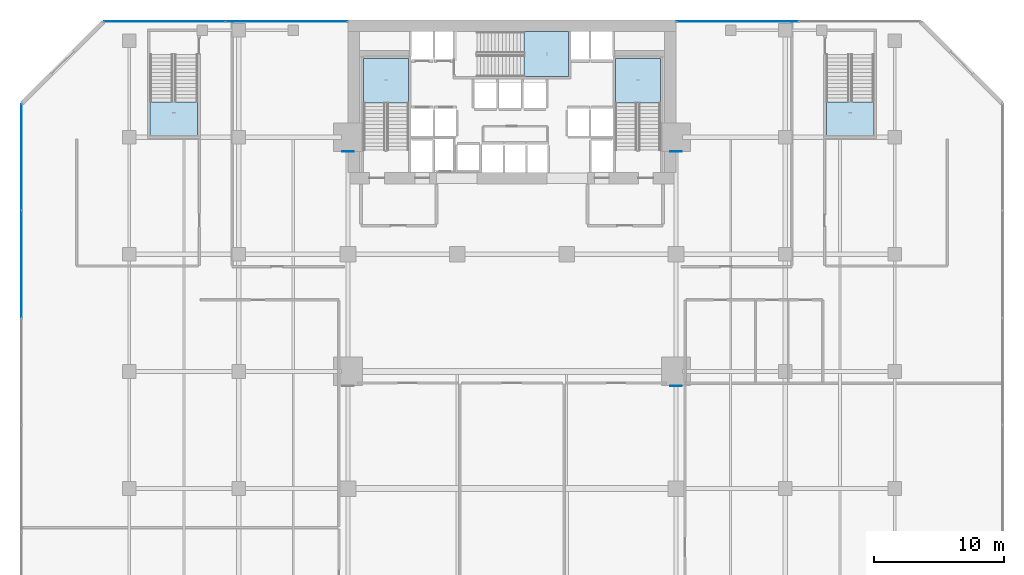
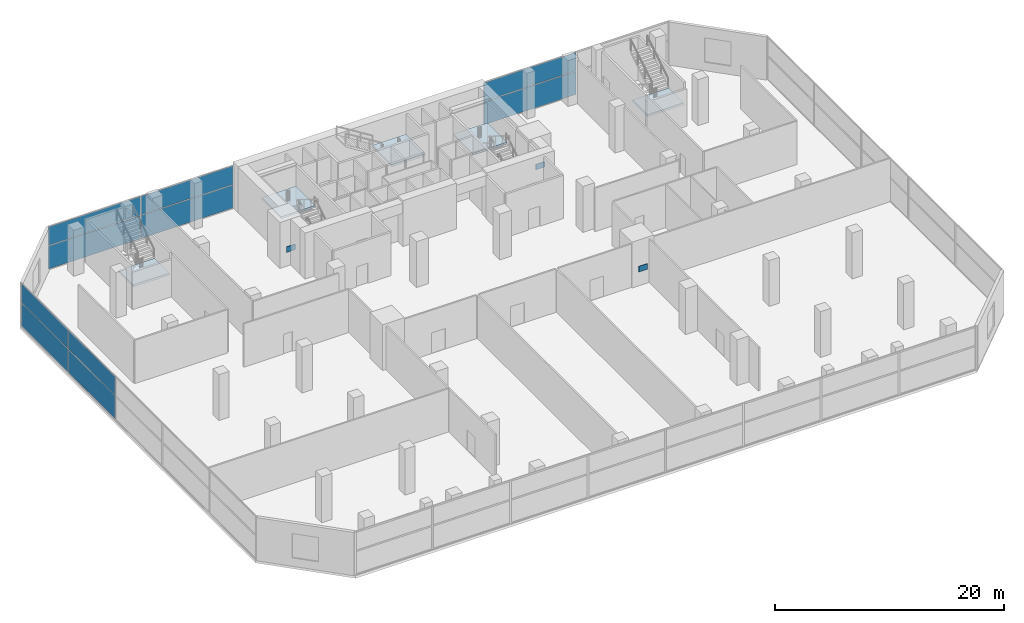
# One storey, part 33 of 39: 13 plates, 5 slabs, 8 elements without a shape of their own.
"""IFC4 building model written with IfcOpenShell, lengths in metres."""

from ifc_helpers import new_model, si_unit, direction, frame, origin, origin_2d, place, context, subcontext, project, spatial, polyline, rectangle, outline, extrude, material, layer, layer_set, type_object, element, aggregate, save


model = new_model("IFC4")

# Units and contexts
model_context = context("Model", 3, precision=1e-05, world=origin(), true_north=direction((0.0, 1.0)))
body_context = subcontext(model_context, "Body", "Model", "MODEL_VIEW")
ifc_project = project(units=[si_unit("LENGTHUNIT", "METRE"), si_unit("AREAUNIT", "SQUARE_METRE"), si_unit("VOLUMEUNIT", "CUBIC_METRE"), si_unit("PLANEANGLEUNIT", "RADIAN"), si_unit("MASSUNIT", "GRAM", prefix="KILO")], contexts=[model_context])

# Site, building, storey
site_placement = place(None, origin())
site = spatial("IfcSite", under=ifc_project, at=site_placement, CompositionType="ELEMENT")
building_placement = place(site_placement, origin())
building = spatial("IfcBuilding", under=site, at=building_placement, Name="Maruvema Waterfront Hotel and Observation Tower", CompositionType="ELEMENT")
storey_placement = place(building_placement, frame((0.0, 0.0, 16.449951171875)))
storey = spatial("IfcBuildingStorey", under=building, at=storey_placement, Name="L03", CompositionType="ELEMENT", Elevation=16.449951171875)

# Curtain wall, plates
ifc_material_1 = material(Name="Anodised bronze aluminium and solar-control low-E IGU", Category="aluminium")
ifc_layer_1 = layer(ifc_material_1, 0.159912109375, Name="Podium Waterfront Storefront Curtain Wall System CW-01")
ifc_layer_set_1 = layer_set([ifc_layer_1], Name="Anodised bronze aluminium and solar-control low-E IGU")
curtain_wall_type = type_object("IfcCurtainWallType", Name="Podium Waterfront Storefront Curtain Wall System CW-01", PredefinedType="USERDEFINED", material=ifc_layer_set_1)
curtain_wall_1_placement = place(storey_placement, origin())
curtain_wall_1 = element("IfcCurtainWall", 1, at=curtain_wall_1_placement, inside=storey, type_object=curtain_wall_type, Name="L03 Curtain Wall CW-L03-NE", ObjectType="UNITISED CURTAIN WALL", PredefinedType="USERDEFINED")
ifc_material_2 = material(Name="Laminated low-E solar-control double glazing", Category="glass")
ifc_layer_2 = layer(ifc_material_2, 0.035888671875, Name="Solar Control Double-Glazed Curtain Panel 36 mm")
ifc_layer_set_2 = layer_set([ifc_layer_2], Name="Laminated low-E solar-control double glazing")
plate_type_1 = type_object("IfcPlateType", Name="Solar Control Double-Glazed Curtain Panel 36 mm", PredefinedType="CURTAIN_PANEL", material=ifc_layer_set_2)
plate_1_placement = place(storey_placement, frame((55.114990234375, 53.8798828125, 0.06005859375), z_axis=(0.0, 0.0, 1.0), x_axis=(-1.0, 0.0, 0.0)))
plate_1 = element("IfcPlate", 2, at=plate_1_placement, type_object=plate_type_1, Name="CW-01 panel 2.1", PredefinedType="CURTAIN_PANEL", context=body_context, shape_type="SweptSolid", body=[
    extrude(rectangle(XDim=9.31005859375, YDim=0.028076171875, at=origin_2d()), origin(), (0.0, 0.0, 1.0), 2.4599609375),
])
plate_2_placement = place(storey_placement, frame((55.114990234375, 53.8798828125, 2.580078125), z_axis=(0.0, 0.0, 1.0), x_axis=(-1.0, 0.0, 0.0)))
plate_2 = element("IfcPlate", 3, at=plate_2_placement, type_object=plate_type_1, Name="CW-01 panel 2.2", PredefinedType="CURTAIN_PANEL", context=body_context, shape_type="SweptSolid", body=[
    extrude(rectangle(XDim=9.31005859375, YDim=0.028076171875, at=origin_2d()), origin(), (0.0, 0.0, 1.0), 1.97998046875),
])
aggregate(curtain_wall_1, [plate_1, plate_2])

curtain_wall_2_placement = place(storey_placement, origin())
curtain_wall_2 = element("IfcCurtainWall", 4, at=curtain_wall_2_placement, inside=storey, type_object=curtain_wall_type, Name="L03 Curtain Wall CW-L03-NW", ObjectType="UNITISED CURTAIN WALL", PredefinedType="USERDEFINED")
plate_3_placement = place(storey_placement, frame((20.485107421875, 53.8798828125, 0.06005859375), z_axis=(0.0, 0.0, 1.0), x_axis=(-1.0, 0.0, 0.0)))
plate_3 = element("IfcPlate", 5, at=plate_3_placement, type_object=plate_type_1, Name="CW-01 panel 1.1", PredefinedType="CURTAIN_PANEL", context=body_context, shape_type="SweptSolid", body=[
    extrude(rectangle(XDim=9.31005859375, YDim=0.028076171875, at=origin_2d()), origin(), (0.0, 0.0, 1.0), 2.4599609375),
])
plate_4_placement = place(storey_placement, frame((20.485107421875, 53.8798828125, 2.580078125), z_axis=(0.0, 0.0, 1.0), x_axis=(-1.0, 0.0, 0.0)))
plate_4 = element("IfcPlate", 6, at=plate_4_placement, type_object=plate_type_1, Name="CW-01 panel 1.2", PredefinedType="CURTAIN_PANEL", context=body_context, shape_type="SweptSolid", body=[
    extrude(rectangle(XDim=9.31005859375, YDim=0.028076171875, at=origin_2d()), origin(), (0.0, 0.0, 1.0), 1.97998046875),
])
plate_5_placement = place(storey_placement, frame((11.114990234375, 53.8798828125, 0.06005859375), z_axis=(0.0, 0.0, 1.0), x_axis=(-1.0, 0.0, 0.0)))
plate_5 = element("IfcPlate", 7, at=plate_5_placement, type_object=plate_type_1, Name="CW-01 panel 2.1", PredefinedType="CURTAIN_PANEL", context=body_context, shape_type="SweptSolid", body=[
    extrude(rectangle(XDim=9.31005859375, YDim=0.028076171875, at=origin_2d()), origin(), (0.0, 0.0, 1.0), 2.4599609375),
])
plate_6_placement = place(storey_placement, frame((11.114990234375, 53.8798828125, 2.580078125), z_axis=(0.0, 0.0, 1.0), x_axis=(-1.0, 0.0, 0.0)))
plate_6 = element("IfcPlate", 8, at=plate_6_placement, type_object=plate_type_1, Name="CW-01 panel 2.2", PredefinedType="CURTAIN_PANEL", context=body_context, shape_type="SweptSolid", body=[
    extrude(rectangle(XDim=9.31005859375, YDim=0.028076171875, at=origin_2d()), origin(), (0.0, 0.0, 1.0), 1.97998046875),
])
aggregate(curtain_wall_2, [plate_3, plate_4, plate_5, plate_6])

curtain_wall_3_placement = place(storey_placement, origin())
curtain_wall_3 = element("IfcCurtainWall", 9, at=curtain_wall_3_placement, inside=storey, type_object=curtain_wall_type, Name="L03 Curtain Wall CW-L03-W", ObjectType="UNITISED CURTAIN WALL", PredefinedType="USERDEFINED")
plate_7_placement = place(storey_placement, frame((0.1201171875, 43.465087890625, 0.06005859375), z_axis=(0.0, 0.0, 1.0), x_axis=(0.0, -1.0, 0.0)))
plate_7 = element("IfcPlate", 10, at=plate_7_placement, type_object=plate_type_1, Name="CW-01 panel 1.1", PredefinedType="CURTAIN_PANEL", context=body_context, shape_type="SweptSolid", body=[
    extrude(rectangle(XDim=8.14990234375, YDim=0.028076171875, at=origin_2d()), origin(), (0.0, 0.0, 1.0), 2.4599609375),
])
plate_8_placement = place(storey_placement, frame((0.1201171875, 43.465087890625, 2.580078125), z_axis=(0.0, 0.0, 1.0), x_axis=(0.0, -1.0, 0.0)))
plate_8 = element("IfcPlate", 11, at=plate_8_placement, type_object=plate_type_1, Name="CW-01 panel 1.2", PredefinedType="CURTAIN_PANEL", context=body_context, shape_type="SweptSolid", body=[
    extrude(rectangle(XDim=8.14990234375, YDim=0.028076171875, at=origin_2d()), origin(), (0.0, 0.0, 1.0), 1.97998046875),
])
plate_9_placement = place(storey_placement, frame((0.1201171875, 35.239990234375, 0.06005859375), z_axis=(0.0, 0.0, 1.0), x_axis=(0.0, -1.0, 0.0)))
plate_9 = element("IfcPlate", 12, at=plate_9_placement, type_object=plate_type_1, Name="CW-01 panel 2.1", PredefinedType="CURTAIN_PANEL", context=body_context, shape_type="SweptSolid", body=[
    extrude(rectangle(XDim=8.179931640625, YDim=0.028076171875, at=origin_2d()), origin(), (0.0, 0.0, 1.0), 2.4599609375),
])
plate_10_placement = place(storey_placement, frame((0.1201171875, 35.239990234375, 2.580078125), z_axis=(0.0, 0.0, 1.0), x_axis=(0.0, -1.0, 0.0)))
plate_10 = element("IfcPlate", 13, at=plate_10_placement, type_object=plate_type_1, Name="CW-01 panel 2.2", PredefinedType="CURTAIN_PANEL", context=body_context, shape_type="SweptSolid", body=[
    extrude(rectangle(XDim=8.179931640625, YDim=0.028076171875, at=origin_2d()), origin(), (0.0, 0.0, 1.0), 1.97998046875),
])
aggregate(curtain_wall_3, [plate_7, plate_8, plate_9, plate_10])

# Stair, slab
ifc_material_3 = material(Name="Concrete C50/60", Category="concrete")
stair_type_1 = type_object("IfcStairType", Name="Dogleg Exit Stair 1650 mm (28R x 175.0 mm)", PredefinedType="HALF_TURN_STAIR", material=ifc_material_3)
stair_1_placement = place(storey_placement, origin())
stair_1 = element("IfcStair", 14, at=stair_1_placement, inside=storey, type_object=stair_type_1, Name="L03 ST-01", PredefinedType="HALF_TURN_STAIR")
ifc_material_4 = material(Name="Concrete C50/60", Category="concrete")
ifc_layer_3 = layer(ifc_material_4, 0.219970703125, Name="Stair Concrete Landing Slab 220 mm")
ifc_layer_set_3 = layer_set([ifc_layer_3], Name="Concrete C50/60")
slab_type = type_object("IfcSlabType", Name="Stair Concrete Landing Slab 220 mm", PredefinedType="LANDING", material=ifc_layer_set_3)
slab_1_placement = place(storey_placement, frame((0.0, 0.0, 2.22998046875)))
slab_1 = element("IfcSlab", 15, at=slab_1_placement, type_object=slab_type, Name="ST-01 landing 1", PredefinedType="LANDING", context=body_context, shape_type="SweptSolid", body=[
    extrude(outline(polyline([(29.85009765625, 47.639892578125), (29.85009765625, 51.050048828125), (26.39990234375, 51.050048828125), (26.39990234375, 47.639892578125), (29.85009765625, 47.639892578125)])), origin(), (0.0, 0.0, 1.0), 0.219970703125),
])
aggregate(stair_1, [slab_1])

stair_2_placement = place(storey_placement, origin())
stair_2 = element("IfcStair", 16, at=stair_2_placement, inside=storey, type_object=stair_type_1, Name="L03 ST-02", PredefinedType="HALF_TURN_STAIR")
slab_2_placement = place(storey_placement, frame((0.0, 0.0, 2.22998046875)))
slab_2 = element("IfcSlab", 17, at=slab_2_placement, type_object=slab_type, Name="ST-02 landing 1", PredefinedType="LANDING", context=body_context, shape_type="SweptSolid", body=[
    extrude(outline(polyline([(38.739990234375, 49.64990234375), (42.14990234375, 49.64990234375), (42.14990234375, 53.10009765625), (38.739990234375, 53.10009765625), (38.739990234375, 49.64990234375)])), origin(), (0.0, 0.0, 1.0), 0.219970703125),
])
aggregate(stair_2, [slab_2])

stair_3_placement = place(storey_placement, origin())
stair_3 = element("IfcStair", 18, at=stair_3_placement, inside=storey, type_object=stair_type_1, Name="L03 ST-03", PredefinedType="HALF_TURN_STAIR")
slab_3_placement = place(storey_placement, frame((0.0, 0.0, 2.22998046875)))
slab_3 = element("IfcSlab", 19, at=slab_3_placement, type_object=slab_type, Name="ST-03 landing 1", PredefinedType="LANDING", context=body_context, shape_type="SweptSolid", body=[
    extrude(outline(polyline([(49.199951171875, 47.639892578125), (49.199951171875, 51.050048828125), (45.75, 51.050048828125), (45.75, 47.639892578125), (49.199951171875, 47.639892578125)])), origin(), (0.0, 0.0, 1.0), 0.219970703125),
])
aggregate(stair_3, [slab_3])

ifc_material_5 = material(Name="Concrete C50/60", Category="concrete")
stair_type_2 = type_object("IfcStairType", Name="Dogleg Exit Stair 1750 mm (28R x 175.0 mm)", PredefinedType="HALF_TURN_STAIR", material=ifc_material_5)
stair_4_placement = place(storey_placement, origin())
stair_4 = element("IfcStair", 20, at=stair_4_placement, inside=storey, type_object=stair_type_2, Name="L03 ST-04", PredefinedType="HALF_TURN_STAIR")
slab_4_placement = place(storey_placement, frame((0.0, 0.0, 2.22998046875)))
slab_4 = element("IfcSlab", 21, at=slab_4_placement, type_object=slab_type, Name="ST-04 landing 1", PredefinedType="LANDING", context=body_context, shape_type="SweptSolid", body=[
    extrude(outline(polyline([(10.0, 47.7099609375), (10.0, 45.10009765625), (13.64990234375, 45.10009765625), (13.64990234375, 47.7099609375), (10.0, 47.7099609375)])), origin(), (0.0, 0.0, 1.0), 0.219970703125),
])
aggregate(stair_4, [slab_4])

stair_5_placement = place(storey_placement, origin())
stair_5 = element("IfcStair", 22, at=stair_5_placement, inside=storey, type_object=stair_type_2, Name="L03 ST-05", PredefinedType="HALF_TURN_STAIR")
slab_5_placement = place(storey_placement, frame((0.0, 0.0, 2.22998046875)))
slab_5 = element("IfcSlab", 23, at=slab_5_placement, type_object=slab_type, Name="ST-05 landing 1", PredefinedType="LANDING", context=body_context, shape_type="SweptSolid", body=[
    extrude(outline(polyline([(61.949951171875, 47.7099609375), (61.949951171875, 45.10009765625), (65.60009765625, 45.10009765625), (65.60009765625, 47.7099609375), (61.949951171875, 47.7099609375)])), origin(), (0.0, 0.0, 1.0), 0.219970703125),
])
aggregate(stair_5, [slab_5])

# Plates
ifc_material_6 = material(Name="Steel ABNT NBR 7007 AR 415 (ASTM A572 Grade 50)", Category="steel")
ifc_layer_4 = layer(ifc_material_6, 0.0400390625, Name="Structural Truss Node Gusset Plate 40 mm")
ifc_layer_set_4 = layer_set([ifc_layer_4], Name="Steel ABNT NBR 7007 AR 415 (ASTM A572 Grade 50)")
plate_type_2 = type_object("IfcPlateType", Name="Structural Truss Node Gusset Plate 40 mm", PredefinedType="USERDEFINED", material=ifc_layer_set_4)
for number, where, z_axis, x_axis, name in (
    (24, (50.39990234375, 25.8798828125, 1.5), (0.0, 0.0, 1.0), (1.0, 0.0, 0.0), "L03 MC-02 Moment Frame Continuity Gusset Plate"),
    (25, (25.199951171875, 43.8798828125, 1.5), (0.0, 0.0, 1.0), (1.0, 0.0, 0.0), "L03 MC-03 Moment Frame Continuity Gusset Plate"),
    (26, (50.39990234375, 43.8798828125, 1.5), (0.0, 0.0, 1.0), (1.0, 0.0, 0.0), "L03 MC-04 Moment Frame Continuity Gusset Plate"),
):
    element("IfcPlate", number, at=place(storey_placement, frame(where, z_axis=z_axis, x_axis=x_axis)), inside=storey, type_object=plate_type_2, Name=name, ObjectType="GUSSET_PLATE", PredefinedType="USERDEFINED", context=body_context, shape_type="SweptSolid", body=[
        extrude(rectangle(XDim=0.89990234375, YDim=0.0400390625, at=origin_2d()), origin(), (0.0, 0.0, 1.0), 0.60009765625),
    ])

save(model, "model.ifc")
